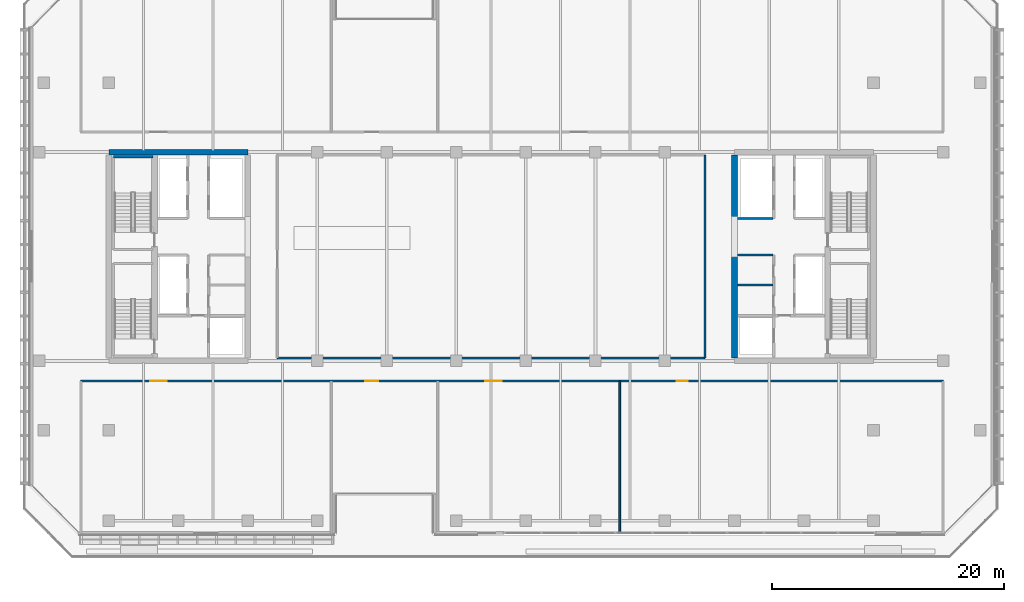
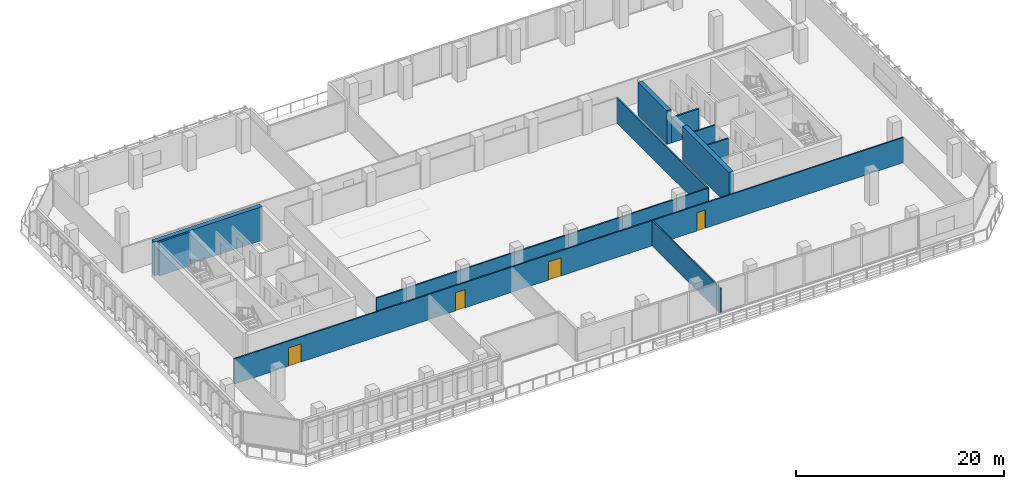
# One storey, part 29 of 38: 11 walls, 4 doors, 4 openings.
"""IFC4 building model written with IfcOpenShell, lengths in metres."""

from ifc_helpers import new_model, si_unit, direction, frame, frame_2d, origin, place, context, subcontext, project, spatial, rectangle, extrude, material, layer, layer_set, type_object, element, fill, save


model = new_model("IFC4")

# Units and contexts
model_context = context("Model", 3, precision=1e-05, world=origin(), true_north=direction((0.0, 1.0)))
body_context = subcontext(model_context, "Body", "Model", "MODEL_VIEW")
ifc_project = project(units=[si_unit("LENGTHUNIT", "METRE"), si_unit("AREAUNIT", "SQUARE_METRE"), si_unit("VOLUMEUNIT", "CUBIC_METRE"), si_unit("PLANEANGLEUNIT", "RADIAN"), si_unit("MASSUNIT", "GRAM", prefix="KILO")], contexts=[model_context])

# Site, building, storey
site_placement = place(None, origin())
site = spatial("IfcSite", under=ifc_project, at=site_placement, CompositionType="ELEMENT")
building_placement = place(site_placement, origin())
building = spatial("IfcBuilding", under=site, at=building_placement, Name="Tanjung Sevakor Pilgrim Tower", CompositionType="ELEMENT")
storey_placement = place(building_placement, frame((0.0, 0.0, 78.2099609375)))
storey = spatial("IfcBuildingStorey", under=building, at=storey_placement, Name="L21", CompositionType="ELEMENT", Elevation=78.2099609375)

# Walls
ifc_material_1 = material(Name="Concrete C60/75", Category="concrete")
ifc_layer_1 = layer(ifc_material_1, 0.5)
ifc_layer_set_1 = layer_set([ifc_layer_1], Name="WALL-CW-500")
wall_type_1 = type_object("IfcWallType", Name="WALL-CW-500", PredefinedType="SHEAR", material=ifc_layer_set_1)
wall_1_placement = place(storey_placement, frame((36.0, 42.60009765625, 0.0), z_axis=(0.0, 0.0, 1.0), x_axis=(-1.0, 0.0, 0.0)))
element("IfcWall", 1, at=wall_1_placement, inside=storey, type_object=wall_type_1, Name="L21 W Core North Shear Wall", PredefinedType="SHEAR", context=body_context, shape_type="SweptSolid", body=[
    extrude(rectangle(XDim=12.0, YDim=0.5, at=frame_2d((6.0, 0.0))), origin(), (0.0, 0.0, 1.0), 3.9599609375),
])
wall_2_placement = place(storey_placement, frame((78.0, 24.85009765625, 0.0), z_axis=(0.0, 0.0, 1.0), x_axis=(0.0, 1.0, 0.0)))
element("IfcWall", 2, at=wall_2_placement, inside=storey, type_object=wall_type_1, Name="L21 E Core Inner Shear Wall South", PredefinedType="SHEAR", context=body_context, shape_type="SweptSolid", body=[
    extrude(rectangle(XDim=8.949951171875, YDim=0.5, at=frame_2d((4.47509765625, 0.0))), origin(), (0.0, 0.0, 1.0), 3.9599609375),
])
wall_3_placement = place(storey_placement, frame((78.0, 36.800048828125, 0.0), z_axis=(0.0, 0.0, 1.0), x_axis=(0.0, 1.0, 0.0)))
element("IfcWall", 3, at=wall_3_placement, inside=storey, type_object=wall_type_1, Name="L21 E Core Inner Shear Wall North", PredefinedType="SHEAR", context=body_context, shape_type="SweptSolid", body=[
    extrude(rectangle(XDim=5.550048828125, YDim=0.5, at=frame_2d((2.77490234375, 0.0))), origin(), (0.0, 0.0, 1.0), 3.9599609375),
])
ifc_material_2 = material(Name="Concrete C40/50", Category="concrete")
ifc_layer_2 = layer(ifc_material_2, 0.14990234375)
ifc_layer_set_2 = layer_set([ifc_layer_2], Name="WT-COMP-150")
wall_type_2 = type_object("IfcWallType", Name="WT-COMP-150", PredefinedType="SOLIDWALL", material=ifc_layer_set_2)
for number, where, z_axis, x_axis, name in (
    (4, (78.27001953125, 31.14990234375, 0.0), (0.0, 0.0, 1.0), (1.0, 0.0, 0.0), "L21 Partition IW-L21-016"),
    (5, (78.27001953125, 33.719970703125, 0.0), (0.0, 0.0, 1.0), (1.0, 0.0, 0.0), "L21 Partition IW-L21-017"),
):
    element("IfcWall", number, at=place(storey_placement, frame(where, z_axis=z_axis, x_axis=x_axis)), inside=storey, type_object=wall_type_2, Name=name, PredefinedType="SOLIDWALL", context=body_context, shape_type="SweptSolid", body=[
        extrude(rectangle(XDim=3.050048828125, YDim=0.14990234375, at=frame_2d((1.52490234375, 0.0))), origin(), (0.0, 0.0, 1.0), 2.9599609375),
    ])
wall_4_placement = place(storey_placement, frame((38.550048828125, 24.85009765625, 0.0), z_axis=(0.0, 0.0, 1.0), x_axis=(1.0, 0.0, 0.0)))
element("IfcWall", 6, at=wall_4_placement, inside=storey, type_object=wall_type_2, Name="L21 Partition IW-L21-023", PredefinedType="SOLIDWALL", context=body_context, shape_type="SweptSolid", body=[
    extrude(rectangle(XDim=36.89990234375, YDim=0.14990234375, at=frame_2d((18.449951171875, 0.0))), origin(), (0.0, 0.0, 1.0), 2.9599609375),
])
wall_5_placement = place(storey_placement, frame((75.449951171875, 24.85009765625, 0.0), z_axis=(0.0, 0.0, 1.0), x_axis=(0.0, 1.0, 0.0)))
element("IfcWall", 7, at=wall_5_placement, inside=storey, type_object=wall_type_2, Name="L21 Partition IW-L21-026", PredefinedType="SOLIDWALL", context=body_context, shape_type="SweptSolid", body=[
    extrude(rectangle(XDim=17.5, YDim=0.14990234375, at=frame_2d((8.75, 0.0))), origin(), (0.0, 0.0, 1.0), 2.9599609375),
])

# Wall, openings, doors
wall_6_placement = place(storey_placement, frame((21.60009765625, 22.85009765625, 0.0), z_axis=(0.0, 0.0, 1.0), x_axis=(1.0, 0.0, 0.0)))
wall_6 = element("IfcWall", 8, at=wall_6_placement, inside=storey, type_object=wall_type_2, Name="L21 Partition IW-L21-032", PredefinedType="SOLIDWALL", context=body_context, shape_type="SweptSolid", body=[
    extrude(rectangle(XDim=74.39990234375, YDim=0.14990234375, at=frame_2d((37.199951171875, 0.0))), origin(), (0.0, 0.0, 1.0), 2.9599609375),
])
opening_1_placement = place(wall_6_placement, frame((6.0, 0.0, 0.0)))
opening_1 = element("IfcOpeningElement", 9, at=opening_1_placement, cuts=wall_6, Name="Opening ID-HD1", PredefinedType="OPENING", context=body_context, shape_type="SweptSolid", body=[
    extrude(rectangle(XDim=1.39990234375, YDim=2.14990234375, at=frame_2d((0.699951171875, 1.074951171875))), frame((0.0, 0.0849609375, 0.0), z_axis=(0.0, -1.0, 0.0), x_axis=(1.0, 0.0, 0.0)), (0.0, 0.0, 1.0), 0.169921875),
])
opening_2_placement = place(wall_6_placement, frame((24.550048828125, 0.0, 0.0)))
opening_2 = element("IfcOpeningElement", 10, at=opening_2_placement, cuts=wall_6, Name="Opening ID-RM2", PredefinedType="OPENING", context=body_context, shape_type="SweptSolid", body=[
    extrude(rectangle(XDim=1.10009765625, YDim=2.14990234375, at=frame_2d((0.550048828125, 1.074951171875))), frame((0.0, 0.0849609375, 0.0), z_axis=(0.0, -1.0, 0.0), x_axis=(1.0, 0.0, 0.0)), (0.0, 0.0, 1.0), 0.169921875),
])
opening_3_placement = place(wall_6_placement, frame((34.89990234375, 0.0, 0.0)))
opening_3 = element("IfcOpeningElement", 11, at=opening_3_placement, cuts=wall_6, Name="Opening ID-HD1", PredefinedType="OPENING", context=body_context, shape_type="SweptSolid", body=[
    extrude(rectangle(XDim=1.39990234375, YDim=2.14990234375, at=frame_2d((0.699951171875, 1.074951171875))), frame((0.0, 0.0849609375, 0.0), z_axis=(0.0, -1.0, 0.0), x_axis=(1.0, 0.0, 0.0)), (0.0, 0.0, 1.0), 0.169921875),
])
opening_4_placement = place(wall_6_placement, frame((51.39990234375, 0.0, 0.0)))
opening_4 = element("IfcOpeningElement", 12, at=opening_4_placement, cuts=wall_6, Name="Opening ID-FD2", PredefinedType="OPENING", context=body_context, shape_type="SweptSolid", body=[
    extrude(rectangle(XDim=0.949951171875, YDim=2.14990234375, at=frame_2d((0.47509765625, 1.074951171875))), frame((0.0, 0.0849609375, 0.0), z_axis=(0.0, -1.0, 0.0), x_axis=(1.0, 0.0, 0.0)), (0.0, 0.0, 1.0), 0.169921875),
])
ifc_material_3 = material(Name="Fire-Rated Timber", Category="wood")
door_type_1 = type_object("IfcDoorType", Name="DT-FIRE-950", OperationType="NOTDEFINED", PredefinedType="DOOR", material=ifc_material_3)
door_1_placement = place(opening_4_placement, origin())
door_1 = element("IfcDoor", 13, at=door_1_placement, inside=storey, type_object=door_type_1, Name="L21 Sky Pantry Door", OperationType="SINGLE_SWING_LEFT", OverallHeight=2.14990234375, OverallWidth=0.949951171875, PredefinedType="DOOR", context=body_context, shape_type="SweptSolid", body=[
    extrude(rectangle(XDim=0.949951171875, YDim=2.14990234375, at=frame_2d((0.47509765625, 1.074951171875))), frame((0.0, 0.02490234375, 0.0), z_axis=(0.0, -1.0, 0.0), x_axis=(1.0, 0.0, 0.0)), (0.0, 0.0, 1.0), 0.050048828125),
])
fill(opening_4, door_1)
ifc_material_4 = material(Name="Hardwood Timber", Category="wood")
door_type_2 = type_object("IfcDoorType", Name="DT-INT-1100", OperationType="NOTDEFINED", PredefinedType="DOOR", material=ifc_material_4)
door_2_placement = place(opening_2_placement, origin())
door_2 = element("IfcDoor", 14, at=door_2_placement, inside=storey, type_object=door_type_2, Name="L21 Tea Sanctuary Door", OperationType="SINGLE_SWING_LEFT", OverallHeight=2.14990234375, OverallWidth=1.10009765625, PredefinedType="DOOR", context=body_context, shape_type="SweptSolid", body=[
    extrude(rectangle(XDim=1.10009765625, YDim=2.14990234375, at=frame_2d((0.550048828125, 1.074951171875))), frame((0.0, 0.02490234375, 0.0), z_axis=(0.0, -1.0, 0.0), x_axis=(1.0, 0.0, 0.0)), (0.0, 0.0, 1.0), 0.050048828125),
])
fill(opening_2, door_2)
ifc_material_5 = material(Name="Hardwood Timber", Category="wood")
door_type_3 = type_object("IfcDoorType", Name="DT-INT-1400", OperationType="DOUBLE_DOOR_SINGLE_SWING", PredefinedType="DOOR", material=ifc_material_5)
door_3_placement = place(opening_1_placement, origin())
door_3 = element("IfcDoor", 15, at=door_3_placement, inside=storey, type_object=door_type_3, Name="L21 Sky Lounge Door", OperationType="SINGLE_SWING_RIGHT", OverallHeight=2.14990234375, OverallWidth=1.39990234375, PredefinedType="DOOR", context=body_context, shape_type="SweptSolid", body=[
    extrude(rectangle(XDim=1.39990234375, YDim=2.14990234375, at=frame_2d((0.699951171875, 1.074951171875))), frame((0.0, 0.02490234375, 0.0), z_axis=(0.0, -1.0, 0.0), x_axis=(1.0, 0.0, 0.0)), (0.0, 0.0, 1.0), 0.050048828125),
])
fill(opening_1, door_3)
door_4_placement = place(opening_3_placement, origin())
door_4 = element("IfcDoor", 16, at=door_4_placement, inside=storey, type_object=door_type_3, Name="L21 Sky Observatory Door", OperationType="SINGLE_SWING_RIGHT", OverallHeight=2.14990234375, OverallWidth=1.39990234375, PredefinedType="DOOR", context=body_context, shape_type="SweptSolid", body=[
    extrude(rectangle(XDim=1.39990234375, YDim=2.14990234375, at=frame_2d((0.699951171875, 1.074951171875))), frame((0.0, 0.02490234375, 0.0), z_axis=(0.0, -1.0, 0.0), x_axis=(1.0, 0.0, 0.0)), (0.0, 0.0, 1.0), 0.050048828125),
])
fill(opening_3, door_4)

# Walls
ifc_material_6 = material(Name="Concrete C40/50", Category="concrete")
ifc_layer_3 = layer(ifc_material_6, 0.199951171875)
ifc_layer_set_3 = layer_set([ifc_layer_3], Name="WT-FIRE-200")
wall_type_3 = type_object("IfcWallType", Name="WT-FIRE-200", PredefinedType="SOLIDWALL", material=ifc_layer_set_3)
wall_7_placement = place(storey_placement, frame((27.800048828125, 42.199951171875, 0.0), z_axis=(0.0, 0.0, 1.0), x_axis=(-1.0, 0.0, 0.0)))
element("IfcWall", 17, at=wall_7_placement, inside=storey, type_object=wall_type_3, Name="L21 TS-W2 Shaft Wall 2", PredefinedType="SOLIDWALL", context=body_context, shape_type="SweptSolid", body=[
    extrude(rectangle(XDim=3.400146484375, YDim=0.199951171875, at=frame_2d((1.7001953125, 0.0))), origin(), (0.0, 0.0, 1.0), 3.9599609375),
])
ifc_material_7 = material(Name="Concrete C40/50", Category="concrete")
ifc_layer_4 = layer(ifc_material_7, 0.199951171875)
ifc_layer_set_4 = layer_set([ifc_layer_4], Name="WT-FPRT-200")
wall_type_4 = type_object("IfcWallType", Name="WT-FPRT-200", PredefinedType="SOLIDWALL", material=ifc_layer_set_4)
wall_8_placement = place(storey_placement, frame((78.27001953125, 36.8798828125, 0.0), z_axis=(0.0, 0.0, 1.0), x_axis=(1.0, 0.0, 0.0)))
element("IfcWall", 18, at=wall_8_placement, inside=storey, type_object=wall_type_4, Name="L21 Partition IW-L21-021", PredefinedType="SOLIDWALL", context=body_context, shape_type="SweptSolid", body=[
    extrude(rectangle(XDim=3.050048828125, YDim=0.199951171875, at=frame_2d((1.52490234375, 0.0))), origin(), (0.0, 0.0, 1.0), 2.9599609375),
])
ifc_material_8 = material(Name="Gypsum Board Partition", Category="gypsum board")
ifc_layer_5 = layer(ifc_material_8, 0.14990234375)
ifc_layer_set_5 = layer_set([ifc_layer_5], Name="WT-PART-150")
wall_type_5 = type_object("IfcWallType", Name="WT-PART-150", PredefinedType="PARTITIONING", material=ifc_layer_set_5)
wall_9_placement = place(storey_placement, frame((68.10009765625, 9.699951171875, 0.0), z_axis=(0.0, 0.0, 1.0), x_axis=(0.0, 1.0, 0.0)))
element("IfcWall", 19, at=wall_9_placement, inside=storey, type_object=wall_type_5, Name="L21 Partition IW-L21-030", PredefinedType="PARTITIONING", context=body_context, shape_type="SweptSolid", body=[
    extrude(rectangle(XDim=13.150146484375, YDim=0.14990234375, at=frame_2d((6.5751953125, 0.0))), origin(), (0.0, 0.0, 1.0), 2.9599609375),
])

save(model, "model.ifc")
